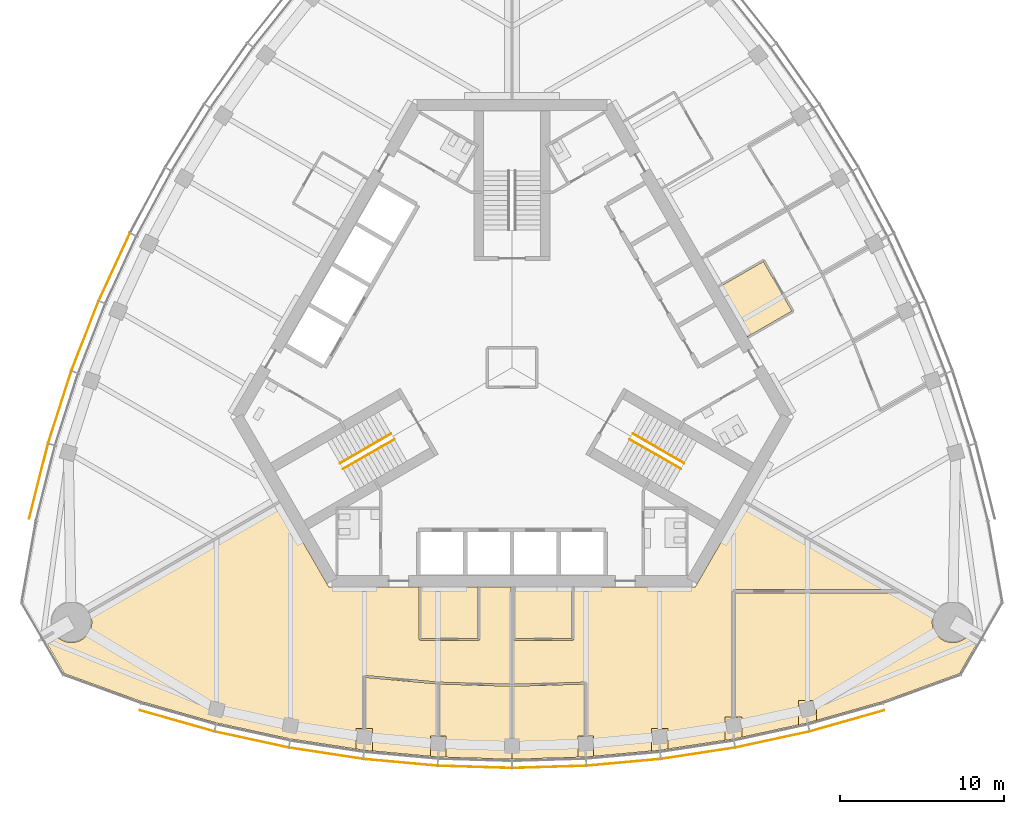
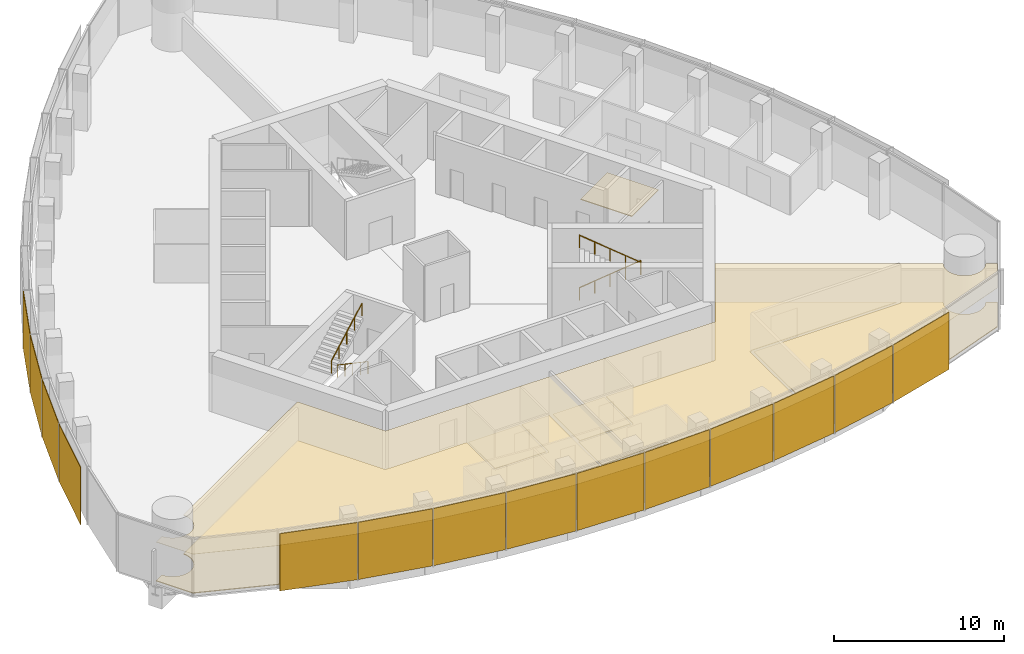
# One storey, part 12 of 16: 14 shading devices, 10 coverings, 4 railings.
"""IFC4 building model written with IfcOpenShell, lengths in metres."""

from ifc_helpers import new_model, si_unit, direction, frame, origin, origin_2d, place, context, subcontext, project, spatial, polyline, rectangle, circle, outline, extrude, material, layer, layer_set, type_object, element, save


model = new_model("IFC4")

# Units and contexts
model_context = context("Model", 3, precision=1e-05, world=origin(), true_north=direction((0.0, 1.0)))
body_context = subcontext(model_context, "Body", "Model", "MODEL_VIEW")
ifc_project = project(units=[si_unit("LENGTHUNIT", "METRE"), si_unit("AREAUNIT", "SQUARE_METRE"), si_unit("VOLUMEUNIT", "CUBIC_METRE"), si_unit("PLANEANGLEUNIT", "RADIAN"), si_unit("MASSUNIT", "GRAM", prefix="KILO")], contexts=[model_context])

# Site, building, storey
site_placement = place(None, origin())
site = spatial("IfcSite", under=ifc_project, at=site_placement, CompositionType="ELEMENT")
building_placement = place(site_placement, origin())
building = spatial("IfcBuilding", under=site, at=building_placement, Name="Trefoil Bronze Tower", CompositionType="ELEMENT")
storey_placement = place(building_placement, frame((0.0, 0.0, 297.300048828125)))
storey = spatial("IfcBuildingStorey", under=building, at=storey_placement, Name="L68", CompositionType="ELEMENT", Elevation=297.300048828125)

# Shading devices
ifc_material_1 = material(Name="Perforated bronze sheet", Category="bronze")
ifc_layer_1 = layer(ifc_material_1, 0.0400390625)
ifc_layer_set_1 = layer_set([ifc_layer_1], Name="Bronze solar screen panel")
shading_device_type = type_object("IfcShadingDeviceType", Name="Bronze solar screen panel", PredefinedType="SHUTTER", material=ifc_layer_set_1)
shading_device_1_placement = place(storey_placement, frame((-20.42138671875, -21.515625, 0.0498046875), z_axis=(0.0, 0.0, 1.0), x_axis=(0.962097746943, -0.272704831875, 0.0)))
element("IfcShadingDevice", 1, at=shading_device_1_placement, inside=storey, type_object=shading_device_type, Name="Solar screen CW-A L68 F1 bay 1", PredefinedType="SHUTTER", context=body_context, shape_type="SweptSolid", body=[
    extrude(rectangle(XDim=4.697509765625, YDim=0.0400390625, at=origin_2d()), origin(), (0.0, 0.0, 1.0), 4.10009765625),
])
shading_device_2_placement = place(storey_placement, frame((-15.864501953125, -22.65625, 0.0498046875), z_axis=(0.0, 0.0, 1.0), x_axis=(0.977303138829, -0.211845639168, 0.0)))
element("IfcShadingDevice", 2, at=shading_device_2_placement, inside=storey, type_object=shading_device_type, Name="Solar screen CW-A L68 F1 bay 2", PredefinedType="SHUTTER", context=body_context, shape_type="SweptSolid", body=[
    extrude(rectangle(XDim=4.574462890625, YDim=0.0400390625, at=origin_2d()), origin(), (0.0, 0.0, 1.0), 4.10009765625),
])
shading_device_3_placement = place(storey_placement, frame((-11.331787109375, -23.494384765625, 0.0498046875), z_axis=(0.0, 0.0, 1.0), x_axis=(0.988485337216, -0.151316681529, 0.0)))
element("IfcShadingDevice", 3, at=shading_device_3_placement, inside=storey, type_object=shading_device_type, Name="Solar screen CW-A L68 F1 bay 3", PredefinedType="SHUTTER", context=body_context, shape_type="SweptSolid", body=[
    extrude(rectangle(XDim=4.5224609375, YDim=0.0400390625, at=origin_2d()), origin(), (0.0, 0.0, 1.0), 4.10009765625),
])
shading_device_4_placement = place(storey_placement, frame((-6.799072265625, -24.048095703125, 0.0498046875), z_axis=(0.0, 0.0, 1.0), x_axis=(0.99587011625, -0.090789380212, 0.0)))
element("IfcShadingDevice", 4, at=shading_device_4_placement, inside=storey, type_object=shading_device_type, Name="Solar screen CW-A L68 F1 bay 4", PredefinedType="SHUTTER", context=body_context, shape_type="SweptSolid", body=[
    extrude(rectangle(XDim=4.48876953125, YDim=0.0400390625, at=origin_2d()), origin(), (0.0, 0.0, 1.0), 4.10009765625),
])
for number, where, z_axis, x_axis, name in (
    (5, (-2.266357421875, -24.3232421875, 0.0498046875), (0.0, 0.0, 1.0), (0.999541969785, -0.030263024264, 0.0), "Solar screen CW-A L68 F1 bay 5"),
    (6, (2.266357421875, -24.3232421875, 0.0498046875), (0.0, 0.0, 1.0), (0.999541969785, 0.030263024264, 0.0), "Solar screen CW-A L68 F1 bay 6"),
):
    element("IfcShadingDevice", number, at=place(storey_placement, frame(where, z_axis=z_axis, x_axis=x_axis)), inside=storey, type_object=shading_device_type, Name=name, PredefinedType="SHUTTER", context=body_context, shape_type="SweptSolid", body=[
        extrude(rectangle(XDim=4.47216796875, YDim=0.0400390625, at=origin_2d()), origin(), (0.0, 0.0, 1.0), 4.10009765625),
    ])
shading_device_5_placement = place(storey_placement, frame((6.799072265625, -24.048095703125, 0.0498046875), z_axis=(0.0, 0.0, 1.0), x_axis=(0.99587011625, 0.090789380212, 0.0)))
element("IfcShadingDevice", 7, at=shading_device_5_placement, inside=storey, type_object=shading_device_type, Name="Solar screen CW-A L68 F1 bay 7", PredefinedType="SHUTTER", context=body_context, shape_type="SweptSolid", body=[
    extrude(rectangle(XDim=4.48876953125, YDim=0.0400390625, at=origin_2d()), origin(), (0.0, 0.0, 1.0), 4.10009765625),
])
shading_device_6_placement = place(storey_placement, frame((11.331787109375, -23.494384765625, 0.0498046875), z_axis=(0.0, 0.0, 1.0), x_axis=(0.988485337216, 0.151316681529, 0.0)))
element("IfcShadingDevice", 8, at=shading_device_6_placement, inside=storey, type_object=shading_device_type, Name="Solar screen CW-A L68 F1 bay 8", PredefinedType="SHUTTER", context=body_context, shape_type="SweptSolid", body=[
    extrude(rectangle(XDim=4.5224609375, YDim=0.0400390625, at=origin_2d()), origin(), (0.0, 0.0, 1.0), 4.10009765625),
])
shading_device_7_placement = place(storey_placement, frame((15.864501953125, -22.65625, 0.0498046875), z_axis=(0.0, 0.0, 1.0), x_axis=(0.977303138829, 0.211845639168, 0.0)))
element("IfcShadingDevice", 9, at=shading_device_7_placement, inside=storey, type_object=shading_device_type, Name="Solar screen CW-A L68 F1 bay 9", PredefinedType="SHUTTER", context=body_context, shape_type="SweptSolid", body=[
    extrude(rectangle(XDim=4.574462890625, YDim=0.0400390625, at=origin_2d()), origin(), (0.0, 0.0, 1.0), 4.10009765625),
])
shading_device_8_placement = place(storey_placement, frame((20.42138671875, -21.515625, 0.0498046875), z_axis=(0.0, 0.0, 1.0), x_axis=(0.962097746943, 0.272704831875, 0.0)))
element("IfcShadingDevice", 10, at=shading_device_8_placement, inside=storey, type_object=shading_device_type, Name="Solar screen CW-A L68 F1 bay 10", PredefinedType="SHUTTER", context=body_context, shape_type="SweptSolid", body=[
    extrude(rectangle(XDim=4.697509765625, YDim=0.0400390625, at=origin_2d()), origin(), (0.0, 0.0, 1.0), 4.10009765625),
])
shading_device_9_placement = place(storey_placement, frame((-24.2255859375, 6.135986328125, 0.0498046875), z_axis=(0.0, 0.0, 1.0), x_axis=(-0.419309148468, -0.907843509649, 0.0)))
element("IfcShadingDevice", 11, at=shading_device_9_placement, inside=storey, type_object=shading_device_type, Name="Solar screen CW-A L68 F3 bay 7", PredefinedType="SHUTTER", context=body_context, shape_type="SweptSolid", body=[
    extrude(rectangle(XDim=4.48876953125, YDim=0.0400390625, at=origin_2d()), origin(), (0.0, 0.0, 1.0), 4.10009765625),
])
shading_device_10_placement = place(storey_placement, frame((-26.0126953125, 1.93359375, 0.0498046875), z_axis=(0.0, 0.0, 1.0), x_axis=(-0.363198578387, -0.931711754062, 0.0)))
element("IfcShadingDevice", 12, at=shading_device_10_placement, inside=storey, type_object=shading_device_type, Name="Solar screen CW-A L68 F3 bay 8", PredefinedType="SHUTTER", context=body_context, shape_type="SweptSolid", body=[
    extrude(rectangle(XDim=4.5224609375, YDim=0.0400390625, at=origin_2d()), origin(), (0.0, 0.0, 1.0), 4.10009765625),
])
shading_device_11_placement = place(storey_placement, frame((-27.55322265625, -2.410888671875, 0.0498046875), z_axis=(0.0, 0.0, 1.0), x_axis=(-0.305187864214, -0.952292165009, 0.0)))
element("IfcShadingDevice", 13, at=shading_device_11_placement, inside=storey, type_object=shading_device_type, Name="Solar screen CW-A L68 F3 bay 9", PredefinedType="SHUTTER", context=body_context, shape_type="SweptSolid", body=[
    extrude(rectangle(XDim=4.574462890625, YDim=0.0400390625, at=origin_2d()), origin(), (0.0, 0.0, 1.0), 4.10009765625),
])
shading_device_12_placement = place(storey_placement, frame((-28.843994140625, -6.927490234375, 0.0498046875), z_axis=(0.0, 0.0, 1.0), x_axis=(-0.244879561333, -0.969553505713, 0.0)))
element("IfcShadingDevice", 14, at=shading_device_12_placement, inside=storey, type_object=shading_device_type, Name="Solar screen CW-A L68 F3 bay 10", PredefinedType="SHUTTER", context=body_context, shape_type="SweptSolid", body=[
    extrude(rectangle(XDim=4.697509765625, YDim=0.0400390625, at=origin_2d()), origin(), (0.0, 0.0, 1.0), 4.10009765625),
])

# Railings
ifc_material_2 = material(Name="Steel handrail", Category="steel")
railing_type = type_object("IfcRailingType", Name="Handrail 900", PredefinedType="HANDRAIL", material=ifc_material_2)
railing_1_placement = place(storey_placement, frame((7.365966796875, -4.021728515625, 0.161376953125)))
element("IfcRailing", 15, at=railing_1_placement, inside=storey, type_object=railing_type, Name="Handrail ST1 flight 1 L68", PredefinedType="HANDRAIL", context=body_context, shape_type="SweptSolid", body=[
    extrude(circle(Radius=0.02392578125, at=origin_2d()), frame((0.0, 0.0, 0.8759765625), z_axis=(0.76250339821, -0.440245697338, 0.474101564745), x_axis=(0.500012057535, 0.866018442252, 0.0)), (0.0, 0.0, 1.0), 4.088623046875),
    extrude(circle(Radius=0.02099609375, at=origin_2d()), origin(), (0.0, 0.0, 1.0), 0.851806640625),
    extrude(circle(Radius=0.02099609375, at=origin_2d()), frame((0.779296875, -0.449951171875, 0.484619140625)), (0.0, 0.0, 1.0), 0.851806640625),
    extrude(circle(Radius=0.02099609375, at=origin_2d()), frame((1.558837890625, -0.89990234375, 0.96923828125)), (0.0, 0.0, 1.0), 0.851806640625),
    extrude(circle(Radius=0.02099609375, at=origin_2d()), frame((2.33837890625, -1.35009765625, 1.453857421875)), (0.0, 0.0, 1.0), 0.851806640625),
    extrude(circle(Radius=0.02099609375, at=origin_2d()), frame((3.11767578125, -1.800048828125, 1.9384765625)), (0.0, 0.0, 1.0), 0.851806640625),
])
railing_2_placement = place(storey_placement, frame((10.28369140625, -6.168212890625, 2.261474609375)))
element("IfcRailing", 16, at=railing_2_placement, inside=storey, type_object=railing_type, Name="Handrail ST1 flight 2 L68", PredefinedType="HANDRAIL", context=body_context, shape_type="SweptSolid", body=[
    extrude(circle(Radius=0.02392578125, at=origin_2d()), frame((0.0, 0.0, 0.8759765625), z_axis=(-0.76250339821, 0.440245697338, 0.474101564745), x_axis=(-0.500012057535, -0.866018442252, 0.0)), (0.0, 0.0, 1.0), 4.088623046875),
    extrude(circle(Radius=0.02099609375, at=origin_2d()), origin(), (0.0, 0.0, 1.0), 0.851806640625),
    extrude(circle(Radius=0.02099609375, at=origin_2d()), frame((-0.779296875, 0.449951171875, 0.484619140625)), (0.0, 0.0, 1.0), 0.851806640625),
    extrude(circle(Radius=0.02099609375, at=origin_2d()), frame((-1.558837890625, 0.89990234375, 0.96923828125)), (0.0, 0.0, 1.0), 0.851806640625),
    extrude(circle(Radius=0.02099609375, at=origin_2d()), frame((-2.33837890625, 1.35009765625, 1.453857421875)), (0.0, 0.0, 1.0), 0.851806640625),
    extrude(circle(Radius=0.02099609375, at=origin_2d()), frame((-3.11767578125, 1.800048828125, 1.9384765625)), (0.0, 0.0, 1.0), 0.851806640625),
])
railing_3_placement = place(storey_placement, frame((-7.166015625, -4.3681640625, 0.161376953125)))
element("IfcRailing", 17, at=railing_3_placement, inside=storey, type_object=railing_type, Name="Handrail ST3 flight 1 L68", PredefinedType="HANDRAIL", context=body_context, shape_type="SweptSolid", body=[
    extrude(circle(Radius=0.02392578125, at=origin_2d()), frame((0.0, 0.0, 0.8759765625), z_axis=(-0.76250339821, -0.440245697338, 0.474101564745), x_axis=(0.500012057535, -0.866018442252, 0.0)), (0.0, 0.0, 1.0), 4.088623046875),
    extrude(circle(Radius=0.02099609375, at=origin_2d()), origin(), (0.0, 0.0, 1.0), 0.851806640625),
    extrude(circle(Radius=0.02099609375, at=origin_2d()), frame((-0.779296875, -0.449951171875, 0.484619140625)), (0.0, 0.0, 1.0), 0.851806640625),
    extrude(circle(Radius=0.02099609375, at=origin_2d()), frame((-1.558837890625, -0.89990234375, 0.96923828125)), (0.0, 0.0, 1.0), 0.851806640625),
    extrude(circle(Radius=0.02099609375, at=origin_2d()), frame((-2.33837890625, -1.35009765625, 1.453857421875)), (0.0, 0.0, 1.0), 0.851806640625),
    extrude(circle(Radius=0.02099609375, at=origin_2d()), frame((-3.11767578125, -1.800048828125, 1.9384765625)), (0.0, 0.0, 1.0), 0.851806640625),
])
railing_4_placement = place(storey_placement, frame((-10.483642578125, -5.82177734375, 2.261474609375)))
element("IfcRailing", 18, at=railing_4_placement, inside=storey, type_object=railing_type, Name="Handrail ST3 flight 2 L68", PredefinedType="HANDRAIL", context=body_context, shape_type="SweptSolid", body=[
    extrude(circle(Radius=0.02392578125, at=origin_2d()), frame((0.0, 0.0, 0.8759765625), z_axis=(0.76250339821, 0.440245697338, 0.474101564745), x_axis=(-0.500012057535, 0.866018442252, 0.0)), (0.0, 0.0, 1.0), 4.088623046875),
    extrude(circle(Radius=0.02099609375, at=origin_2d()), origin(), (0.0, 0.0, 1.0), 0.851806640625),
    extrude(circle(Radius=0.02099609375, at=origin_2d()), frame((0.779296875, 0.449951171875, 0.484619140625)), (0.0, 0.0, 1.0), 0.851806640625),
    extrude(circle(Radius=0.02099609375, at=origin_2d()), frame((1.558837890625, 0.89990234375, 0.96923828125)), (0.0, 0.0, 1.0), 0.851806640625),
    extrude(circle(Radius=0.02099609375, at=origin_2d()), frame((2.33837890625, 1.35009765625, 1.453857421875)), (0.0, 0.0, 1.0), 0.851806640625),
    extrude(circle(Radius=0.02099609375, at=origin_2d()), frame((3.11767578125, 1.800048828125, 1.9384765625)), (0.0, 0.0, 1.0), 0.851806640625),
])

# Coverings
ifc_material_3 = material(Name="Acoustic ceiling panels", Category="mineral fibre")
ifc_layer_2 = layer(ifc_material_3, 0.02001953125)
ifc_layer_set_2 = layer_set([ifc_layer_2], Name="Office ceiling 20")
covering_type_1 = type_object("IfcCoveringType", Name="Office ceiling 20", PredefinedType="CEILING", material=ifc_layer_set_2)
covering_1_placement = place(storey_placement, frame((0.0, 0.0, 2.89990234375)))
element("IfcCovering", 19, at=covering_1_placement, inside=storey, type_object=covering_type_1, Name="Ceiling L68 Open-plan office F1", PredefinedType="CEILING", context=body_context, shape_type="SweptSolid", body=[
    extrude(outline(polyline([(-27.885986328125, -16.194580078125), (-27.850830078125, -16.24462890625), (-27.81298828125, -16.29296875), (-27.77294921875, -16.33935546875), (-27.730712890625, -16.3837890625), (-27.686279296875, -16.42626953125), (-27.639892578125, -16.46630859375), (-27.59130859375, -16.50390625), (-27.541259765625, -16.539306640625), (-27.489501953125, -16.572265625), (-27.43603515625, -16.602294921875), (-27.381103515625, -16.6298828125), (-27.3251953125, -16.65478515625), (-27.267822265625, -16.677001953125), (-27.209716796875, -16.6962890625), (-27.150390625, -16.71240234375), (-27.0908203125, -16.72607421875), (-27.0302734375, -16.736572265625), (-26.96923828125, -16.743896484375), (-26.908203125, -16.74853515625), (-26.8466796875, -16.75), (-26.785400390625, -16.74853515625), (-26.724365234375, -16.743896484375), (-26.663330078125, -16.736572265625), (-26.602783203125, -16.72607421875), (-26.543212890625, -16.71240234375), (-26.48388671875, -16.6962890625), (-26.42578125, -16.677001953125), (-26.368408203125, -16.65478515625), (-26.312255859375, -16.6298828125), (-26.257568359375, -16.602294921875), (-26.2041015625, -16.572265625), (-26.15234375, -16.539306640625), (-26.102294921875, -16.50390625), (-26.0537109375, -16.46630859375), (-26.00732421875, -16.42626953125), (-25.962890625, -16.3837890625), (-25.920654296875, -16.33935546875), (-25.880615234375, -16.29296875), (-25.8427734375, -16.24462890625), (-25.8076171875, -16.194580078125), (-25.774658203125, -16.142578125), (-25.744384765625, -16.089111328125), (-25.716796875, -16.034423828125), (-25.69189453125, -15.978515625), (-25.669921875, -15.921142578125), (-25.650634765625, -15.86279296875), (-25.63427734375, -15.8037109375), (-25.620849609375, -15.743896484375), (-25.6103515625, -15.683349609375), (-25.602783203125, -15.62255859375), (-25.598388671875, -15.561279296875), (-25.5966796875, -15.5), (-25.598388671875, -15.438720703125), (-25.602783203125, -15.37744140625), (-25.6103515625, -15.316650390625), (-25.620849609375, -15.256103515625), (-25.63427734375, -15.1962890625), (-25.650634765625, -15.13720703125), (-25.669921875, -15.078857421875), (-25.69189453125, -15.021484375), (-25.716796875, -14.965576171875), (-25.759033203125, -14.885009765625), (-14.156494140625, -8.180419921875), (-11.171630859375, -13.35009765625), (11.171630859375, -13.35009765625), (14.156494140625, -8.180419921875), (25.759033203125, -14.885009765625), (25.716796875, -14.965576171875), (25.69189453125, -15.021484375), (25.669921875, -15.078857421875), (25.650634765625, -15.13720703125), (25.63427734375, -15.1962890625), (25.620849609375, -15.256103515625), (25.6103515625, -15.316650390625), (25.602783203125, -15.37744140625), (25.598388671875, -15.438720703125), (25.5966796875, -15.5), (25.598388671875, -15.561279296875), (25.602783203125, -15.62255859375), (25.6103515625, -15.683349609375), (25.620849609375, -15.743896484375), (25.63427734375, -15.8037109375), (25.650634765625, -15.86279296875), (25.669921875, -15.921142578125), (25.69189453125, -15.978515625), (25.716796875, -16.034423828125), (25.744384765625, -16.089111328125), (25.774658203125, -16.142578125), (25.8076171875, -16.194580078125), (25.8427734375, -16.24462890625), (25.880615234375, -16.29296875), (25.920654296875, -16.33935546875), (25.962890625, -16.3837890625), (26.00732421875, -16.42626953125), (26.0537109375, -16.46630859375), (26.102294921875, -16.50390625), (26.15234375, -16.539306640625), (26.2041015625, -16.572265625), (26.257568359375, -16.602294921875), (26.312255859375, -16.6298828125), (26.368408203125, -16.65478515625), (26.42578125, -16.677001953125), (26.48388671875, -16.6962890625), (26.543212890625, -16.71240234375), (26.602783203125, -16.72607421875), (26.663330078125, -16.736572265625), (26.724365234375, -16.743896484375), (26.785400390625, -16.74853515625), (26.8466796875, -16.75), (26.908203125, -16.74853515625), (26.96923828125, -16.743896484375), (27.0302734375, -16.736572265625), (27.0908203125, -16.72607421875), (27.150390625, -16.71240234375), (27.209716796875, -16.6962890625), (27.267822265625, -16.677001953125), (27.3251953125, -16.65478515625), (27.381103515625, -16.6298828125), (27.43603515625, -16.602294921875), (27.489501953125, -16.572265625), (27.541259765625, -16.539306640625), (27.59130859375, -16.50390625), (27.639892578125, -16.46630859375), (27.686279296875, -16.42626953125), (27.730712890625, -16.3837890625), (27.77294921875, -16.33935546875), (27.81298828125, -16.29296875), (27.850830078125, -16.24462890625), (27.885986328125, -16.194580078125), (27.923095703125, -16.135498046875), (28.510009765625, -16.474609375), (27.26220703125, -18.635986328125), (22.54833984375, -20.3515625), (18.0, -21.640869140625), (13.5, -22.6162109375), (9.0, -23.30517578125), (4.5, -23.71533203125), (0.0, -23.8515625), (-4.5, -23.71533203125), (-9.0, -23.30517578125), (-13.5, -22.6162109375), (-18.0, -21.640869140625), (-22.54833984375, -20.3515625), (-27.26220703125, -18.635986328125), (-28.510009765625, -16.474609375), (-27.923095703125, -16.135498046875), (-27.885986328125, -16.194580078125)])), origin(), (0.0, 0.0, 1.0), 0.02001953125),
])
ifc_material_4 = material(Name="Raised access floor panels", Category="steel")
ifc_layer_3 = layer(ifc_material_4, 0.050048828125)
ifc_layer_set_3 = layer_set([ifc_layer_3], Name="Raised access floor 150")
covering_type_2 = type_object("IfcCoveringType", Name="Raised access floor 150", PredefinedType="FLOORING", material=ifc_layer_set_3)
covering_2_placement = place(storey_placement, frame((0.0, 0.0, 0.099853515625)))
element("IfcCovering", 20, at=covering_2_placement, inside=storey, type_object=covering_type_2, Name="Raised floor L68 Boardroom F1", PredefinedType="FLOORING", context=body_context, shape_type="SweptSolid", body=[
    extrude(outline(polyline([(27.26220703125, -18.635986328125), (22.54833984375, -20.3515625), (18.546875, -21.48583984375), (18.546875, -20.269287109375), (17.453125, -20.269287109375), (17.453125, -21.75927734375), (14.025390625, -22.50244140625), (14.025390625, -21.27734375), (13.60009765625, -21.27734375), (13.60009765625, -13.719970703125), (23.570068359375, -13.719970703125), (23.570068359375, -13.6201171875), (25.759033203125, -14.885009765625), (25.716796875, -14.965576171875), (25.69189453125, -15.021484375), (25.669921875, -15.078857421875), (25.650634765625, -15.13720703125), (25.63427734375, -15.1962890625), (25.620849609375, -15.256103515625), (25.6103515625, -15.316650390625), (25.602783203125, -15.37744140625), (25.598388671875, -15.438720703125), (25.5966796875, -15.5), (25.598388671875, -15.561279296875), (25.602783203125, -15.62255859375), (25.6103515625, -15.683349609375), (25.620849609375, -15.743896484375), (25.63427734375, -15.8037109375), (25.650634765625, -15.86279296875), (25.669921875, -15.921142578125), (25.69189453125, -15.978515625), (25.716796875, -16.034423828125), (25.744384765625, -16.089111328125), (25.774658203125, -16.142578125), (25.8076171875, -16.194580078125), (25.8427734375, -16.24462890625), (25.880615234375, -16.29296875), (25.920654296875, -16.33935546875), (25.962890625, -16.3837890625), (26.00732421875, -16.42626953125), (26.0537109375, -16.46630859375), (26.102294921875, -16.50390625), (26.15234375, -16.539306640625), (26.2041015625, -16.572265625), (26.257568359375, -16.602294921875), (26.312255859375, -16.6298828125), (26.368408203125, -16.65478515625), (26.42578125, -16.677001953125), (26.48388671875, -16.6962890625), (26.543212890625, -16.71240234375), (26.602783203125, -16.72607421875), (26.663330078125, -16.736572265625), (26.724365234375, -16.743896484375), (26.785400390625, -16.74853515625), (26.8466796875, -16.75), (26.908203125, -16.74853515625), (26.96923828125, -16.743896484375), (27.0302734375, -16.736572265625), (27.0908203125, -16.72607421875), (27.150390625, -16.71240234375), (27.209716796875, -16.6962890625), (27.267822265625, -16.677001953125), (27.3251953125, -16.65478515625), (27.381103515625, -16.6298828125), (27.43603515625, -16.602294921875), (27.489501953125, -16.572265625), (27.541259765625, -16.539306640625), (27.59130859375, -16.50390625), (27.639892578125, -16.46630859375), (27.686279296875, -16.42626953125), (27.730712890625, -16.3837890625), (27.77294921875, -16.33935546875), (27.81298828125, -16.29296875), (27.850830078125, -16.24462890625), (27.885986328125, -16.194580078125), (27.923095703125, -16.135498046875), (28.510009765625, -16.474609375), (27.26220703125, -18.635986328125)])), origin(), (0.0, 0.0, 1.0), 0.050048828125),
])
covering_3_placement = place(storey_placement, frame((0.0, 0.0, 0.099853515625)))
element("IfcCovering", 21, at=covering_3_placement, inside=storey, type_object=covering_type_2, Name="Raised floor L68 Meeting room F1", PredefinedType="FLOORING", context=body_context, shape_type="SweptSolid", body=[
    extrude(outline(polyline([(-2.06005859375, -13.35009765625), (-2.06005859375, -16.489990234375), (-5.5400390625, -16.489990234375), (-5.5400390625, -13.35009765625), (-2.06005859375, -13.35009765625)])), origin(), (0.0, 0.0, 1.0), 0.050048828125),
])
covering_4_placement = place(storey_placement, frame((0.0, 0.0, 0.099853515625)))
element("IfcCovering", 22, at=covering_4_placement, inside=storey, type_object=covering_type_2, Name="Raised floor L68 Meeting room F1", PredefinedType="FLOORING", context=body_context, shape_type="SweptSolid", body=[
    extrude(outline(polyline([(3.6650390625, -13.35009765625), (3.6650390625, -16.489990234375), (0.18505859375, -16.489990234375), (0.18505859375, -13.35009765625), (3.6650390625, -13.35009765625)])), origin(), (0.0, 0.0, 1.0), 0.050048828125),
])
covering_5_placement = place(storey_placement, frame((0.0, 0.0, 0.099853515625)))
element("IfcCovering", 23, at=covering_5_placement, inside=storey, type_object=covering_type_2, Name="Raised floor L68 Client meeting room F1", PredefinedType="FLOORING", context=body_context, shape_type="SweptSolid", body=[
    extrude(outline(polyline([(-8.93994140625, -21.996826171875), (-8.93994140625, -18.870849609375), (-4.56005859375, -19.27001953125), (-4.56005859375, -22.43310546875), (-4.5, -22.43310546875), (-4.5, -22.436279296875), (-4.9775390625, -22.436279296875), (-4.9775390625, -23.671875), (-8.497802734375, -23.350830078125), (-8.497802734375, -21.996826171875), (-8.93994140625, -21.996826171875)])), origin(), (0.0, 0.0, 1.0), 0.050048828125),
])
covering_6_placement = place(storey_placement, frame((0.0, 0.0, 0.099853515625)))
element("IfcCovering", 24, at=covering_6_placement, inside=storey, type_object=covering_type_2, Name="Raised floor L68 Client meeting room F1", PredefinedType="FLOORING", context=body_context, shape_type="SweptSolid", body=[
    extrude(outline(polyline([(-4.5, -22.43310546875), (-4.43994140625, -22.43310546875), (-4.43994140625, -19.277099609375), (-0.074951171875, -19.409423828125), (-0.074951171875, -22.571533203125), (0.0, -22.571533203125), (0.0, -23.8515625), (-4.0224609375, -23.729736328125), (-4.0224609375, -22.436279296875), (-4.5, -22.436279296875), (-4.5, -22.43310546875)])), origin(), (0.0, 0.0, 1.0), 0.050048828125),
])
covering_7_placement = place(storey_placement, frame((0.0, 0.0, 0.099853515625)))
element("IfcCovering", 25, at=covering_7_placement, inside=storey, type_object=covering_type_2, Name="Raised floor L68 Client meeting room F1", PredefinedType="FLOORING", context=body_context, shape_type="SweptSolid", body=[
    extrude(outline(polyline([(0.0, -22.571533203125), (0.074951171875, -22.571533203125), (0.074951171875, -19.409423828125), (4.43994140625, -19.277099609375), (4.43994140625, -22.43310546875), (4.5, -22.43310546875), (4.5, -22.436279296875), (4.0224609375, -22.436279296875), (4.0224609375, -23.729736328125), (0.0, -23.8515625), (0.0, -22.571533203125)])), origin(), (0.0, 0.0, 1.0), 0.050048828125),
])
covering_8_placement = place(storey_placement, frame((0.0, 0.0, 0.099853515625)))
element("IfcCovering", 26, at=covering_8_placement, inside=storey, type_object=covering_type_2, Name="Raised floor L68 Open-plan office F1", PredefinedType="FLOORING", context=body_context, shape_type="SweptSolid", body=[
    extrude(outline(polyline([(-25.759033203125, -14.885009765625), (-14.156494140625, -8.180419921875), (-11.171630859375, -13.35009765625), (-5.659912109375, -13.35009765625), (-5.659912109375, -16.550048828125), (-5.60009765625, -16.550048828125), (-5.60009765625, -16.610107421875), (-2.0, -16.610107421875), (-2.0, -16.550048828125), (-1.93994140625, -16.550048828125), (-1.93994140625, -13.35009765625), (-0.0009765625, -13.35009765625), (-0.0009765625, -13.360107421875), (-0.074951171875, -13.360107421875), (-0.074951171875, -19.289306640625), (-4.496337890625, -19.155517578125), (-8.99462890625, -18.745361328125), (-9.0, -18.80517578125), (-9.06005859375, -18.80517578125), (-9.06005859375, -21.996826171875), (-9.502197265625, -21.996826171875), (-9.502197265625, -23.228271484375), (-13.5, -22.6162109375), (-18.0, -21.640869140625), (-22.54833984375, -20.3515625), (-27.26220703125, -18.635986328125), (-28.510009765625, -16.474609375), (-27.923095703125, -16.135498046875), (-27.885986328125, -16.194580078125), (-27.850830078125, -16.24462890625), (-27.81298828125, -16.29296875), (-27.77294921875, -16.33935546875), (-27.730712890625, -16.3837890625), (-27.686279296875, -16.42626953125), (-27.639892578125, -16.46630859375), (-27.59130859375, -16.50390625), (-27.541259765625, -16.539306640625), (-27.489501953125, -16.572265625), (-27.43603515625, -16.602294921875), (-27.381103515625, -16.6298828125), (-27.3251953125, -16.65478515625), (-27.267822265625, -16.677001953125), (-27.209716796875, -16.6962890625), (-27.150390625, -16.71240234375), (-27.0908203125, -16.72607421875), (-27.0302734375, -16.736572265625), (-26.96923828125, -16.743896484375), (-26.908203125, -16.74853515625), (-26.8466796875, -16.75), (-26.785400390625, -16.74853515625), (-26.724365234375, -16.743896484375), (-26.663330078125, -16.736572265625), (-26.602783203125, -16.72607421875), (-26.543212890625, -16.71240234375), (-26.48388671875, -16.6962890625), (-26.42578125, -16.677001953125), (-26.368408203125, -16.65478515625), (-26.312255859375, -16.6298828125), (-26.257568359375, -16.602294921875), (-26.2041015625, -16.572265625), (-26.15234375, -16.539306640625), (-26.102294921875, -16.50390625), (-26.0537109375, -16.46630859375), (-26.00732421875, -16.42626953125), (-25.962890625, -16.3837890625), (-25.920654296875, -16.33935546875), (-25.880615234375, -16.29296875), (-25.8427734375, -16.24462890625), (-25.8076171875, -16.194580078125), (-25.774658203125, -16.142578125), (-25.744384765625, -16.089111328125), (-25.716796875, -16.034423828125), (-25.69189453125, -15.978515625), (-25.669921875, -15.921142578125), (-25.650634765625, -15.86279296875), (-25.63427734375, -15.8037109375), (-25.620849609375, -15.743896484375), (-25.6103515625, -15.683349609375), (-25.602783203125, -15.62255859375), (-25.598388671875, -15.561279296875), (-25.5966796875, -15.5), (-25.598388671875, -15.438720703125), (-25.602783203125, -15.37744140625), (-25.6103515625, -15.316650390625), (-25.620849609375, -15.256103515625), (-25.63427734375, -15.1962890625), (-25.650634765625, -15.13720703125), (-25.669921875, -15.078857421875), (-25.69189453125, -15.021484375), (-25.716796875, -14.965576171875), (-25.759033203125, -14.885009765625)])), origin(), (0.0, 0.0, 1.0), 0.050048828125),
])
covering_9_placement = place(storey_placement, frame((0.0, 0.0, 0.099853515625)))
element("IfcCovering", 27, at=covering_9_placement, inside=storey, type_object=covering_type_2, Name="Raised floor L68 Open-plan office F1", PredefinedType="FLOORING", context=body_context, shape_type="SweptSolid", body=[
    extrude(outline(polyline([(4.9775390625, -23.671875), (4.9775390625, -22.436279296875), (4.5, -22.436279296875), (4.5, -22.43310546875), (4.56005859375, -22.43310546875), (4.56005859375, -19.21533203125), (4.5, -19.21533203125), (4.498291015625, -19.155517578125), (0.074951171875, -19.289306640625), (0.074951171875, -16.550048828125), (0.125, -16.550048828125), (0.125, -16.610107421875), (3.72509765625, -16.610107421875), (3.72509765625, -16.550048828125), (3.784912109375, -16.550048828125), (3.784912109375, -13.35009765625), (11.171630859375, -13.35009765625), (14.156494140625, -8.180419921875), (23.397216796875, -13.52001953125), (13.5, -13.52001953125), (13.5, -13.6201171875), (13.39990234375, -13.6201171875), (13.39990234375, -21.27734375), (12.974609375, -21.27734375), (12.974609375, -22.69677734375), (9.502197265625, -23.228271484375), (9.502197265625, -21.996826171875), (8.497802734375, -21.996826171875), (8.497802734375, -23.350830078125), (4.9775390625, -23.671875)])), origin(), (0.0, 0.0, 1.0), 0.050048828125),
])
covering_10_placement = place(storey_placement, frame((0.0, 0.0, 0.099853515625)))
element("IfcCovering", 28, at=covering_10_placement, inside=storey, type_object=covering_type_2, Name="Raised floor L68 Meeting room F2", PredefinedType="FLOORING", context=body_context, shape_type="SweptSolid", body=[
    extrude(outline(polyline([(12.59130859375, 4.89111328125), (15.310791015625, 6.4609375), (17.05078125, 3.447265625), (14.331298828125, 1.877197265625), (12.59130859375, 4.89111328125)])), origin(), (0.0, 0.0, 1.0), 0.050048828125),
])

save(model, "model.ifc")
